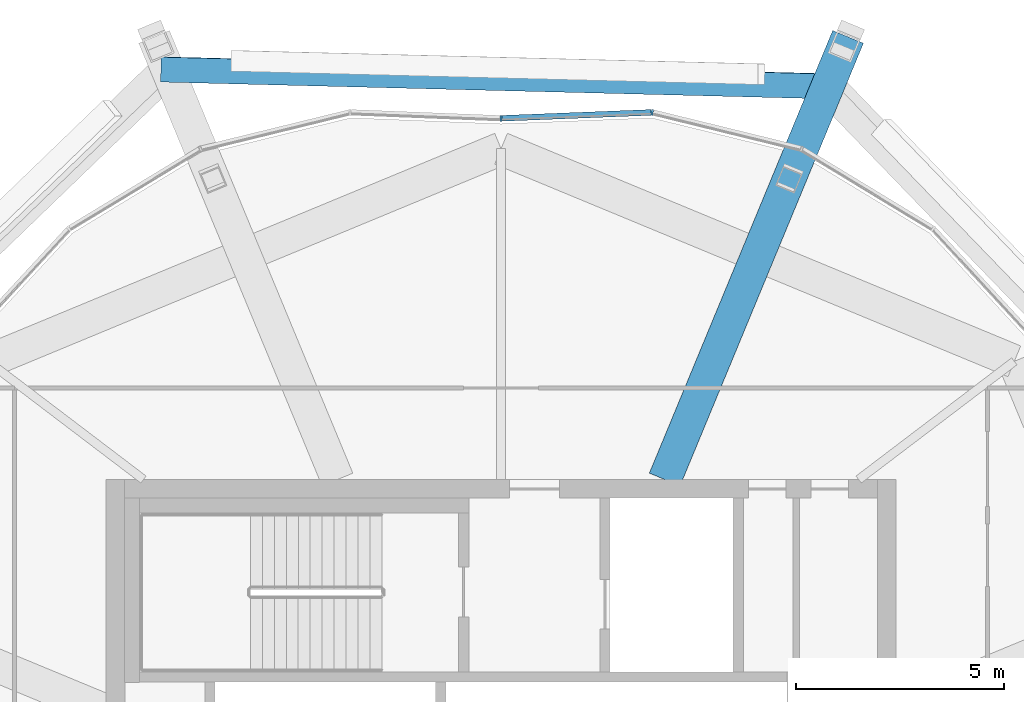
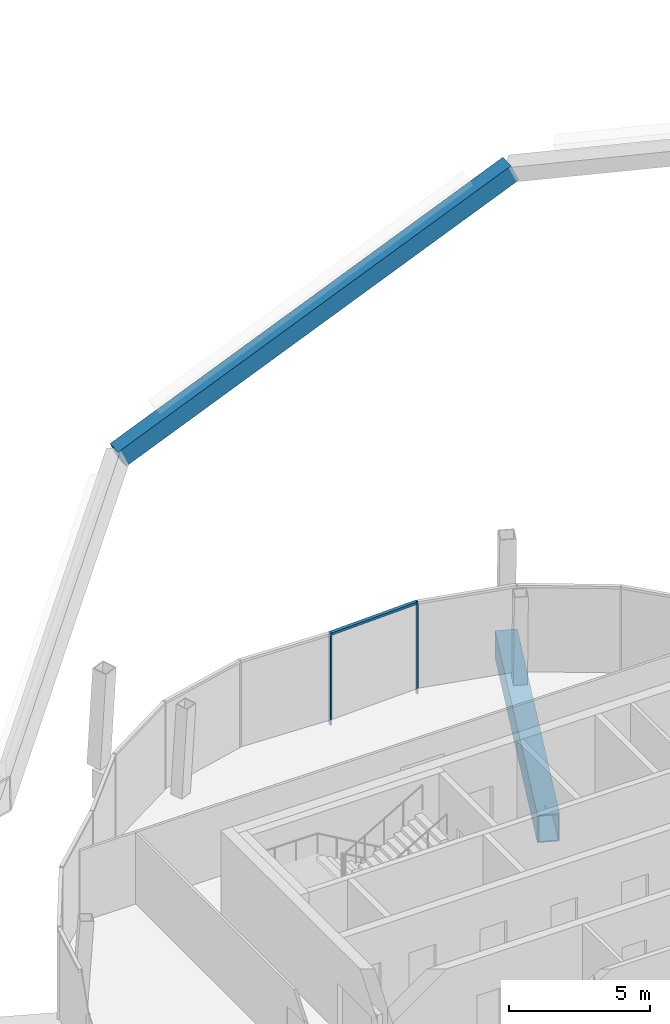
# One storey, part 11 of 34: 3 members, 2 beams, 1 element without a shape of its own.
"""IFC4 building model written with IfcOpenShell, lengths in metres."""

from ifc_helpers import new_model, si_unit, direction, frame, origin, origin_2d, place, context, subcontext, project, spatial, rectangle, hollow_rectangle, extrude, material, material_profile, profile_set, type_object, element, aggregate, save


model = new_model("IFC4")

# Units and contexts
model_context = context("Model", 3, precision=1e-05, world=origin(), true_north=direction((0.0, 1.0)))
body_context = subcontext(model_context, "Body", "Model", "MODEL_VIEW")
ifc_project = project(units=[si_unit("LENGTHUNIT", "METRE"), si_unit("AREAUNIT", "SQUARE_METRE"), si_unit("VOLUMEUNIT", "CUBIC_METRE"), si_unit("PLANEANGLEUNIT", "RADIAN"), si_unit("MASSUNIT", "GRAM", prefix="KILO")], contexts=[model_context])

# Site, building, storey
site_placement = place(None, origin())
site = spatial("IfcSite", under=ifc_project, at=site_placement, CompositionType="ELEMENT")
building_placement = place(site_placement, origin())
building = spatial("IfcBuilding", under=site, at=building_placement, Name="Ogive Gate Towers", CompositionType="ELEMENT")
storey_placement = place(building_placement, frame((0.0, 0.0, 294.0)))
storey = spatial("IfcBuildingStorey", under=building, at=storey_placement, Name="L69", CompositionType="ELEMENT", Elevation=294.0)

# Curtain wall, members
ifc_material_1 = material(Name="Pale metal aluminium", Category="aluminium")
curtain_wall_type = type_object("IfcCurtainWallType", Name="Crown lean wall", PredefinedType="NOTDEFINED", material=ifc_material_1)
curtain_wall_placement = place(storey_placement, origin())
curtain_wall = element("IfcCurtainWall", 1, at=curtain_wall_placement, inside=storey, type_object=curtain_wall_type, Name="CW5 T1 ECW02", PredefinedType="NOTDEFINED")
ifc_material_profile_1 = material_profile(ifc_material_1, rectangle(XDim=0.139892578125, YDim=0.050048828125, at=origin_2d()), Name="50 x 140 aluminium box")
ifc_profile_set_1 = profile_set([ifc_material_profile_1], Name="Pale metal aluminium")
member_type_1 = type_object("IfcMemberType", Name="Crown lean wall mullion 50 x 140", PredefinedType="MULLION", material=ifc_profile_set_1)
member_1_placement = place(storey_placement, frame((-36.001220703125, 18.18505859375, -0.300048828125), z_axis=(0.0, 0.0, 1.0), x_axis=(0.039608610093, -0.999215271104, 0.0)))
member_1 = element("IfcMember", 2, at=member_1_placement, type_object=member_type_1, Name="CW5 mullion", PredefinedType="MULLION", context=body_context, shape_type="SweptSolid", body=[
    extrude(rectangle(XDim=0.139892578125, YDim=0.050048828125, at=origin_2d()), origin(), (0.0, 0.0, 1.0), 4.0),
])
member_2_placement = place(storey_placement, frame((-32.366943359375, 18.328857421875, -0.300048828125), z_axis=(0.0, 0.0, 1.0), x_axis=(-0.100101233848, -0.99497725752, 0.0)))
member_2 = element("IfcMember", 3, at=member_2_placement, type_object=member_type_1, Name="CW5 mullion", PredefinedType="MULLION", context=body_context, shape_type="SweptSolid", body=[
    extrude(rectangle(XDim=0.139892578125, YDim=0.050048828125, at=origin_2d()), origin(), (0.0, 0.0, 1.0), 4.0),
])
ifc_material_profile_2 = material_profile(ifc_material_1, rectangle(XDim=0.139892578125, YDim=0.10009765625, at=origin_2d()), Name="100 x 140 aluminium box")
ifc_profile_set_2 = profile_set([ifc_material_profile_2], Name="Pale metal aluminium")
member_type_2 = type_object("IfcMemberType", Name="Crown lean wall transom 100 x 140", PredefinedType="USERDEFINED", material=ifc_profile_set_2)
member_3_placement = place(storey_placement, frame((-35.976318359375, 18.18603515625, 3.64990234375), z_axis=(0.99921601742, 0.039589778104, 0.0), x_axis=(-0.039589778104, 0.99921601742, 0.0)))
member_3 = element("IfcMember", 4, at=member_3_placement, type_object=member_type_2, Name="CW5 transom", ObjectType="TRANSOM", PredefinedType="USERDEFINED", context=body_context, shape_type="SweptSolid", body=[
    extrude(rectangle(XDim=0.139892578125, YDim=0.10009765625, at=origin_2d()), origin(), (0.0, 0.0, 1.0), 3.5830078125),
])
aggregate(curtain_wall, [member_1, member_2, member_3])

# Beams
ifc_material_2 = material(Name="Steel SM460", Category="steel")
ifc_material_profile_3 = material_profile(ifc_material_2, hollow_rectangle(XDim=0.60009765625, YDim=0.800048828125, WallThickness=0.0400390625, at=origin_2d()), Name="BX 800x600x40")
ifc_profile_set_3 = profile_set([ifc_material_profile_3], Name="Steel SM460")
beam_type_1 = type_object("IfcBeamType", Name="Crown ring beam BX 800x600x40", PredefinedType="BEAM", material=ifc_profile_set_3)
beam_1_placement = place(storey_placement, frame((-28.1474609375, 18.957763671875, 20.57470703125), z_axis=(-0.912575002442, 0.023077932348, -0.408257607347), x_axis=(0.021067526414, 0.999733669046, 0.009420738138)))
element("IfcBeam", 5, at=beam_1_placement, inside=storey, type_object=beam_type_1, Name="T1/L69/SBM002", PredefinedType="BEAM", context=body_context, shape_type="SweptSolid", body=[
    extrude(hollow_rectangle(XDim=0.60009765625, YDim=0.800048828125, WallThickness=0.0400390625, at=origin_2d()), origin(), (0.0, 0.0, 1.0), 17.391845703125),
])
ifc_material_profile_4 = material_profile(ifc_material_2, hollow_rectangle(XDim=0.800048828125, YDim=1.199951171875, WallThickness=0.050048828125, at=origin_2d()), Name="BX 1200x800x50")
ifc_profile_set_4 = profile_set([ifc_material_profile_4], Name="Steel SM460")
beam_type_2 = type_object("IfcBeamType", Name="Transfer radial beam BX 1200x800x50", PredefinedType="BEAM", material=ifc_profile_set_4)
beam_2_placement = place(storey_placement, frame((-32.06494140625, 9.5, -0.89990234375), z_axis=(0.382684265017, 0.923879187615, 0.0), x_axis=(-0.923879187615, 0.382684265017, 0.0)))
element("IfcBeam", 6, at=beam_2_placement, inside=storey, type_object=beam_type_2, Name="T1/L69/SBM018", PredefinedType="BEAM", context=body_context, shape_type="SweptSolid", body=[
    extrude(hollow_rectangle(XDim=0.800048828125, YDim=1.199951171875, WallThickness=0.050048828125, at=origin_2d()), origin(), (0.0, 0.0, 1.0), 11.5224609375),
])

save(model, "model.ifc")
